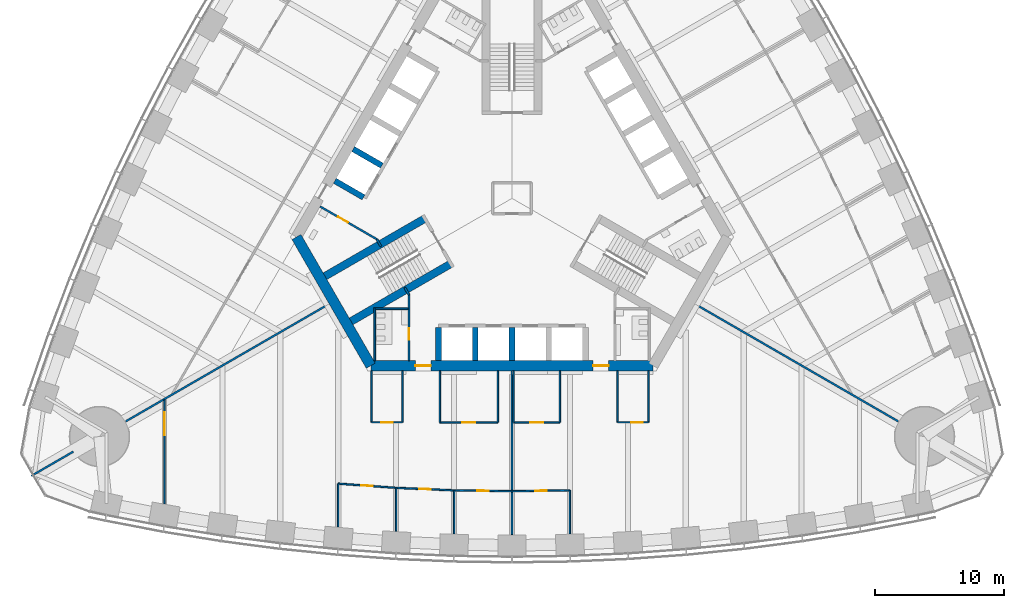
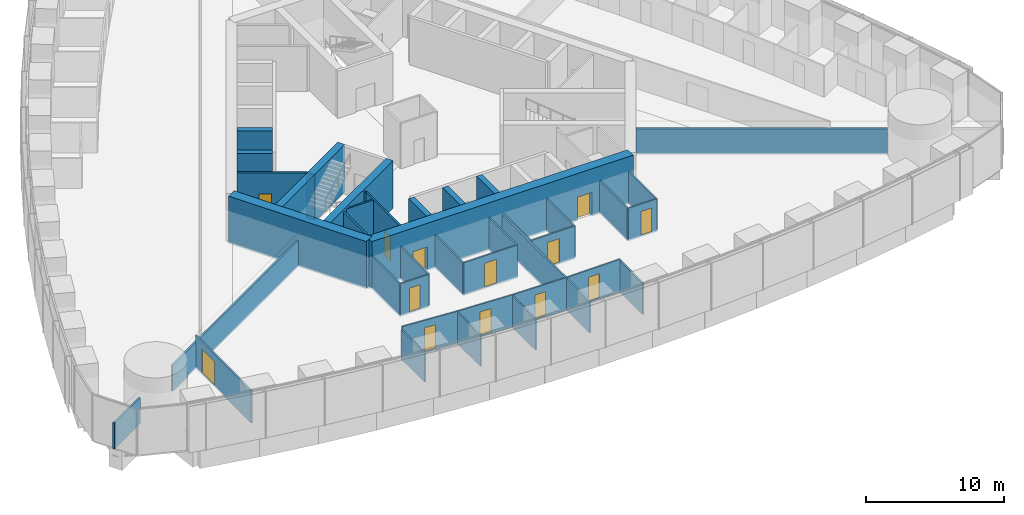
# One storey, part 10 of 18: 40 walls, 13 doors, 13 openings.
"""IFC4 building model written with IfcOpenShell, lengths in metres."""

import ifcopenshell
import ifcopenshell.guid

model = None  # the IFC model being written
_history = None  # IfcOwnerHistory: only IFC2X3 demands one
_inside = {}  # id of a spatial element -> (the spatial element, [elements in it])
_under = {}  # id of a project, library or spatial element -> (it, [spatial elements below it])
_declared = {}  # id of a project -> (the project, [libraries it declares])
_typed = {}  # id of a type object -> (the type object, [elements of that type])
_made_of = {}  # id of a material, layer set ... -> (it, [elements and type objects made of it])


def new_model(schema):
    """Start an empty IFC model of exactly this schema.

    Asked for "IFC4X3", IfcOpenShell would pick the latest addendum, in which some entities
    have other attributes; the version numbers below select the first issue.
    IFC2X3 requires an IfcOwnerHistory on every rooted entity: one is made here for all.
    """
    global model, _history
    if schema == "IFC4X3":
        model = ifcopenshell.file(schema_version=(4, 3, 0, 0))
    else:
        model = ifcopenshell.file(schema=schema)
    _inside.clear()
    _under.clear()
    _declared.clear()
    _typed.clear()
    _made_of.clear()
    _history = None
    if model.schema == "IFC2X3":
        org = make("IfcOrganization", Name="unknown")
        user = make(
            "IfcPersonAndOrganization",
            ThePerson=make("IfcPerson", FamilyName="unknown"),
            TheOrganization=org,
        )
        app = make(
            "IfcApplication",
            ApplicationDeveloper=org,
            Version="unknown",
            ApplicationFullName="unknown",
            ApplicationIdentifier="unknown",
        )
        _history = make(
            "IfcOwnerHistory",
            OwningUser=user,
            OwningApplication=app,
            ChangeAction="ADDED",
            CreationDate=0,
        )
    return model


def make(cls, **values):
    """One entity of the class cls with the attributes given. An attribute that is None is left unset."""
    return model.create_entity(
        cls, **{name: value for name, value in values.items() if value is not None}
    )


def rooted(cls, **values):
    """An entity with a GlobalId (a new one), such as an element, a storey or a relation."""
    return make(cls, GlobalId=ifcopenshell.guid.new(), OwnerHistory=_history, **values)


def si_unit(unit_type, name, prefix=None):
    """IfcSIUnit, for example si_unit("LENGTHUNIT", "METRE", prefix="MILLI")."""
    return make("IfcSIUnit", UnitType=unit_type, Prefix=prefix, Name=name)


def assignment(units):
    """IfcUnitAssignment: the units of a project."""
    return None if units is None else make("IfcUnitAssignment", Units=units)


def point(xyz):
    """IfcCartesianPoint."""
    return None if xyz is None else make("IfcCartesianPoint", Coordinates=xyz)


def direction(xyz):
    """IfcDirection."""
    return None if xyz is None else make("IfcDirection", DirectionRatios=xyz)


def frame(location, z_axis=None, x_axis=None):
    """IfcAxis2Placement3D, a coordinate frame: its origin and axes. An axis left out is left unset."""
    return make(
        "IfcAxis2Placement3D",
        Location=point(location),
        Axis=direction(z_axis),
        RefDirection=direction(x_axis),
    )


def frame_2d(location, x_axis=None):
    """IfcAxis2Placement2D, a coordinate frame in the plane: its origin and x axis."""
    return make(
        "IfcAxis2Placement2D", Location=point(location), RefDirection=direction(x_axis)
    )


def origin():
    """The frame at (0, 0, 0) with its axes left unset."""
    return frame((0.0, 0.0, 0.0))


def place(relative_to, where):
    """IfcLocalPlacement: puts the frame where relative to a parent placement (None: the world)."""
    return make(
        "IfcLocalPlacement", PlacementRelTo=relative_to, RelativePlacement=where
    )


def context(
    kind, dimensions, precision=None, world=None, true_north=None, identifier=None
):
    """IfcGeometricRepresentationContext, for example the 3D "Model" context."""
    return make(
        "IfcGeometricRepresentationContext",
        ContextIdentifier=identifier,
        ContextType=kind,
        CoordinateSpaceDimension=dimensions,
        Precision=precision,
        WorldCoordinateSystem=world,
        TrueNorth=true_north,
    )


def subcontext(parent, identifier, kind, view, scale=None):
    """IfcGeometricRepresentationSubContext, for example "Body" below "Model"."""
    return make(
        "IfcGeometricRepresentationSubContext",
        ContextIdentifier=identifier,
        ContextType=kind,
        ParentContext=parent,
        TargetScale=scale,
        TargetView=view,
    )


def project(units=None, contexts=None):
    """IfcProject with its units and contexts."""
    return rooted(
        "IfcProject",
        Name="project",
        RepresentationContexts=contexts,
        UnitsInContext=assignment(units),
    )


def spatial(cls, under=None, at=None, **own):
    """A site, building, storey or space (cls), placed at a placement, below another one or the project."""
    s = rooted(cls, ObjectPlacement=at, **own)
    if under is not None:
        _under.setdefault(under.id(), (under, []))[1].append(s)
    return s


def profile(cls, at=None, kind="AREA", **sizes):
    """A parametric profile (cls). Its sizes go by their IFC names, for example OverallWidth=200.0."""
    return make(cls, ProfileType=kind, Position=at, **sizes)


def rectangle(**sizes):
    """IfcRectangleProfileDef."""
    return profile("IfcRectangleProfileDef", **sizes)


def extrude(swept, where, along, depth):
    """IfcExtrudedAreaSolid: the profile swept, set in the frame where, extruded along a direction by depth."""
    return make(
        "IfcExtrudedAreaSolid",
        SweptArea=swept,
        Position=where,
        ExtrudedDirection=direction(along),
        Depth=depth,
    )


def shape(context_of_items, identifier, shape_type, items):
    """IfcShapeRepresentation: the items that make up one representation, for example the "Body"."""
    return make(
        "IfcShapeRepresentation",
        ContextOfItems=context_of_items,
        RepresentationIdentifier=identifier,
        RepresentationType=shape_type,
        Items=items,
    )


def material(Name=None, Category=None):
    """IfcMaterial."""
    return make("IfcMaterial", Name=Name, Category=Category)


def layer(
    of_material, thickness, ventilated=None, Name=None, Category=None, Priority=None
):
    """IfcMaterialLayer: one layer of a wall or slab, of a material (None: an air gap)."""
    return make(
        "IfcMaterialLayer",
        Material=of_material,
        LayerThickness=thickness,
        IsVentilated=ventilated,
        Name=Name,
        Category=Category,
        Priority=Priority,
    )


def layer_set(layers, Name=None):
    """IfcMaterialLayerSet."""
    return make("IfcMaterialLayerSet", MaterialLayers=layers, LayerSetName=Name)


def made_of(thing, what):
    """Note that an element or type object is made of a material, layer set ...; save() writes the relation."""
    if what is not None:
        _made_of.setdefault(what.id(), (what, []))[1].append(thing)
    return thing


def type_object(cls, material=None, **own):
    """A type object (cls), such as IfcWallType, which elements share."""
    return made_of(rooted(cls, **own), material)


def element(
    cls,
    number,
    at=None,
    inside=None,
    cuts=None,
    type_object=None,
    material=None,
    context=None,
    identifier="Body",
    shape_type=None,
    held_by="IfcProductDefinitionShape",
    body=None,
    shapes=None,
    **own,
):
    """One element of the class cls, such as IfcWall. Its Tag is "e" and its number.

    at: its placement. inside: the storey or other place that contains it. cuts: it is an
    opening in that element (IfcRelVoidsElement). A single representation is given by context,
    identifier, shape_type and body (its items); several are given by shapes. held_by: the class
    of the entity that holds the representations. save() writes the other relations.
    """
    e = rooted(cls, Tag="e%d" % number, ObjectPlacement=at, **own)
    if body is not None:
        shapes = [shape(context, identifier, shape_type, body)]
    if shapes is not None:
        e.Representation = make(held_by, Representations=shapes)
    if inside is not None:
        _inside.setdefault(inside.id(), (inside, []))[1].append(e)
    if cuts is not None:
        rooted(
            "IfcRelVoidsElement", RelatingBuildingElement=cuts, RelatedOpeningElement=e
        )
    if type_object is not None:
        _typed.setdefault(type_object.id(), (type_object, []))[1].append(e)
    return made_of(e, material)


def fill(opening, filler):
    """IfcRelFillsElement: the door or window that sits in an opening."""
    return rooted(
        "IfcRelFillsElement",
        RelatingOpeningElement=opening,
        RelatedBuildingElement=filler,
    )


def aggregate(whole, parts):
    """IfcRelAggregates: a whole, such as a stair, and the parts it consists of."""
    return rooted("IfcRelAggregates", RelatingObject=whole, RelatedObjects=parts)


def save(model, path):
    """Write the relations noted so far, then the file.

    IfcRelAggregates (storeys below a building ...), IfcRelContainedInSpatialStructure (elements
    in a storey), IfcRelDefinesByType, IfcRelAssociatesMaterial and IfcRelDeclares: one each for
    every whole, place, type object, material and project.
    """
    for whole, parts in _under.values():
        aggregate(whole, parts)
    for where, things in _inside.values():
        rooted(
            "IfcRelContainedInSpatialStructure",
            RelatedElements=things,
            RelatingStructure=where,
        )
    for kind, things in _typed.values():
        rooted("IfcRelDefinesByType", RelatedObjects=things, RelatingType=kind)
    for what, things in _made_of.values():
        rooted("IfcRelAssociatesMaterial", RelatedObjects=things, RelatingMaterial=what)
    for by, libraries in _declared.values():
        rooted("IfcRelDeclares", RelatingContext=by, RelatedDefinitions=libraries)
    model.write(path)


model = new_model("IFC4")

# Units and contexts
model_context = context("Model", 3, precision=1e-05, world=origin(), true_north=direction((0.0, 1.0)))
body_context = subcontext(model_context, "Body", "Model", "MODEL_VIEW")
ifc_project = project(units=[si_unit("LENGTHUNIT", "METRE"), si_unit("AREAUNIT", "SQUARE_METRE"), si_unit("VOLUMEUNIT", "CUBIC_METRE"), si_unit("PLANEANGLEUNIT", "RADIAN"), si_unit("MASSUNIT", "GRAM", prefix="KILO")], contexts=[model_context])

# Site, building, storey
site_placement = place(None, origin())
site = spatial("IfcSite", under=ifc_project, at=site_placement, CompositionType="ELEMENT")
building_placement = place(site_placement, origin())
building = spatial("IfcBuilding", under=site, at=building_placement, Name="Trefoil Bronze Tower", CompositionType="ELEMENT")
storey_placement = place(building_placement, frame((0.0, 0.0, 75.300048828125)))
storey = spatial("IfcBuildingStorey", under=building, at=storey_placement, Name="L17", CompositionType="ELEMENT", Elevation=75.300048828125)

# Wall, openings, doors
ifc_material_1 = material(Name="Concrete B80", Category="concrete")
ifc_layer_1 = layer(ifc_material_1, 0.800048828125)
ifc_layer_set_1 = layer_set([ifc_layer_1], Name="Core wall 800")
wall_type_1 = type_object("IfcWallType", Name="Core wall 800", PredefinedType="SHEAR", material=ifc_layer_set_1)
wall_1_placement = place(storey_placement, frame((-10.9697265625, -13.0, 0.0), z_axis=(0.0, 0.0, 1.0), x_axis=(1.0, 0.0, 0.0)))
wall_1 = element("IfcWall", 1, at=wall_1_placement, inside=storey, type_object=wall_type_1, Name="Core long wall 1 L17", PredefinedType="SHEAR", context=body_context, shape_type="SweptSolid", body=[
    extrude(rectangle(XDim=21.939453125, YDim=0.800048828125, at=frame_2d((10.9697265625, 0.0))), origin(), (0.0, 0.0, 1.0), 4.199951171875),
])
opening_1_placement = place(wall_1_placement, frame((17.269775390625, 0.0, 0.0)))
opening_1 = element("IfcOpeningElement", 2, at=opening_1_placement, cuts=wall_1, Name="Opening D2", PredefinedType="OPENING", context=body_context, shape_type="SweptSolid", body=[
    extrude(rectangle(XDim=1.199951171875, YDim=2.10009765625, at=frame_2d((0.60009765625, 1.050048828125))), frame((0.0, 0.409912109375, 0.0), z_axis=(0.0, -1.0, 0.0), x_axis=(1.0, 0.0, 0.0)), (0.0, 0.0, 1.0), 0.820068359375),
])
opening_2_placement = place(wall_1_placement, frame((3.4697265625, 0.0, 0.0)))
opening_2 = element("IfcOpeningElement", 3, at=opening_2_placement, cuts=wall_1, Name="Opening D2", PredefinedType="OPENING", context=body_context, shape_type="SweptSolid", body=[
    extrude(rectangle(XDim=1.199951171875, YDim=2.10009765625, at=frame_2d((0.60009765625, 1.050048828125))), frame((0.0, 0.409912109375, 0.0), z_axis=(0.0, -1.0, 0.0), x_axis=(1.0, 0.0, 0.0)), (0.0, 0.0, 1.0), 0.820068359375),
])
ifc_material_2 = material(Name="Steel door", Category="steel")
door_type_1 = type_object("IfcDoorType", Name="Lobby door 1200", OperationType="SINGLE_SWING_RIGHT", PredefinedType="DOOR", material=ifc_material_2)
door_1_placement = place(opening_1_placement, origin())
door_1 = element("IfcDoor", 4, at=door_1_placement, inside=storey, type_object=door_type_1, Name="Lobby door F1+ L17", OperationType="SINGLE_SWING_RIGHT", OverallHeight=2.10009765625, OverallWidth=1.199951171875, PredefinedType="DOOR", context=body_context, shape_type="SweptSolid", body=[
    extrude(rectangle(XDim=1.199951171875, YDim=2.10009765625, at=frame_2d((0.60009765625, 1.050048828125))), frame((0.0, 0.02490234375, 0.0), z_axis=(0.0, -1.0, 0.0), x_axis=(1.0, 0.0, 0.0)), (0.0, 0.0, 1.0), 0.050048828125),
])
fill(opening_1, door_1)
door_2_placement = place(opening_2_placement, origin())
door_2 = element("IfcDoor", 5, at=door_2_placement, inside=storey, type_object=door_type_1, Name="Lobby door F1- L17", OperationType="SINGLE_SWING_LEFT", OverallHeight=2.10009765625, OverallWidth=1.199951171875, PredefinedType="DOOR", context=body_context, shape_type="SweptSolid", body=[
    extrude(rectangle(XDim=1.199951171875, YDim=2.10009765625, at=frame_2d((0.60009765625, 1.050048828125))), frame((0.0, 0.02490234375, 0.0), z_axis=(0.0, -1.0, 0.0), x_axis=(1.0, 0.0, 0.0)), (0.0, 0.0, 1.0), 0.050048828125),
])
fill(opening_2, door_2)

# Wall
wall_2_placement = place(storey_placement, frame((-16.7431640625, -3.0, 0.0), z_axis=(0.0, 0.0, 1.0), x_axis=(0.499995765644, -0.866027848477, 0.0)))
element("IfcWall", 6, at=wall_2_placement, inside=storey, type_object=wall_type_1, Name="Core short wall 3 L17", PredefinedType="SHEAR", context=body_context, shape_type="SweptSolid", body=[
    extrude(rectangle(XDim=11.546875, YDim=0.800048828125, at=frame_2d((5.7734375, 0.0))), origin(), (0.0, 0.0, 1.0), 4.199951171875),
])

# Wall, opening, door
ifc_material_3 = material(Name="Glazed partition", Category="glass")
ifc_layer_2 = layer(ifc_material_3, 0.1201171875)
ifc_layer_set_2 = layer_set([ifc_layer_2], Name="Glazed partition 120")
wall_type_2 = type_object("IfcWallType", Name="Glazed partition 120", PredefinedType="PARTITIONING", material=ifc_layer_set_2)
wall_3_placement = place(storey_placement, frame((0.125, -17.39990234375, 0.0), z_axis=(0.0, 0.0, 1.0), x_axis=(1.0, 0.0, 0.0)))
wall_3 = element("IfcWall", 7, at=wall_3_placement, inside=storey, type_object=wall_type_2, Name="Partition F1 L17", PredefinedType="PARTITIONING", context=body_context, shape_type="SweptSolid", body=[
    extrude(rectangle(XDim=3.60009765625, YDim=0.1201171875, at=frame_2d((1.800048828125, 0.0))), origin(), (0.0, 0.0, 1.0), 2.89990234375),
])
opening_3_placement = place(wall_3_placement, frame((1.300048828125, 0.0, 0.14990234375)))
opening_3 = element("IfcOpeningElement", 8, at=opening_3_placement, cuts=wall_3, Name="Opening D9", PredefinedType="OPENING", context=body_context, shape_type="SweptSolid", body=[
    extrude(rectangle(XDim=1.0, YDim=2.10009765625, at=frame_2d((0.5, 1.050048828125))), frame((0.0, 0.070068359375, 0.0), z_axis=(0.0, -1.0, 0.0), x_axis=(1.0, 0.0, 0.0)), (0.0, 0.0, 1.0), 0.14013671875),
])
ifc_material_4 = material(Name="Glazed timber door", Category="wood")
door_type_2 = type_object("IfcDoorType", Name="Meeting room door 1000", OperationType="SINGLE_SWING_LEFT", PredefinedType="DOOR", material=ifc_material_4)
door_3_placement = place(opening_3_placement, origin())
door_3 = element("IfcDoor", 9, at=door_3_placement, inside=storey, type_object=door_type_2, Name="Meeting room door F1 L17", OperationType="SINGLE_SWING_LEFT", OverallHeight=2.10009765625, OverallWidth=1.0, PredefinedType="DOOR", context=body_context, shape_type="SweptSolid", body=[
    extrude(rectangle(XDim=1.0, YDim=2.10009765625, at=frame_2d((0.5, 1.050048828125))), frame((0.0, 0.02490234375, 0.0), z_axis=(0.0, -1.0, 0.0), x_axis=(1.0, 0.0, 0.0)), (0.0, 0.0, 1.0), 0.050048828125),
])
fill(opening_3, door_3)

wall_4_placement = place(storey_placement, frame((8.199951171875, -17.39990234375, 0.0), z_axis=(0.0, 0.0, 1.0), x_axis=(1.0, 0.0, 0.0)))
wall_4 = element("IfcWall", 10, at=wall_4_placement, inside=storey, type_object=wall_type_2, Name="Partition F1 L17", PredefinedType="PARTITIONING", context=body_context, shape_type="SweptSolid", body=[
    extrude(rectangle(XDim=2.400146484375, YDim=0.1201171875, at=frame_2d((1.2001953125, 0.0))), origin(), (0.0, 0.0, 1.0), 2.89990234375),
])
opening_4_placement = place(wall_4_placement, frame((1.050048828125, 0.0, 0.14990234375)))
opening_4 = element("IfcOpeningElement", 11, at=opening_4_placement, cuts=wall_4, Name="Opening D8", PredefinedType="OPENING", context=body_context, shape_type="SweptSolid", body=[
    extrude(rectangle(XDim=0.89990234375, YDim=2.10009765625, at=frame_2d((0.449951171875, 1.050048828125))), frame((0.0, 0.070068359375, 0.0), z_axis=(0.0, -1.0, 0.0), x_axis=(1.0, 0.0, 0.0)), (0.0, 0.0, 1.0), 0.14013671875),
])
ifc_material_5 = material(Name="Timber door", Category="wood")
door_type_3 = type_object("IfcDoorType", Name="Office door 900", OperationType="SINGLE_SWING_LEFT", PredefinedType="DOOR", material=ifc_material_5)
door_4_placement = place(opening_4_placement, origin())
door_4 = element("IfcDoor", 12, at=door_4_placement, inside=storey, type_object=door_type_3, Name="Comms room door F1 L17", OperationType="SINGLE_SWING_RIGHT", OverallHeight=2.10009765625, OverallWidth=0.89990234375, PredefinedType="DOOR", context=body_context, shape_type="SweptSolid", body=[
    extrude(rectangle(XDim=0.89990234375, YDim=2.10009765625, at=frame_2d((0.449951171875, 1.050048828125))), frame((0.0, 0.02490234375, 0.0), z_axis=(0.0, -1.0, 0.0), x_axis=(1.0, 0.0, 0.0)), (0.0, 0.0, 1.0), 0.050048828125),
])
fill(opening_4, door_4)

wall_5_placement = place(storey_placement, frame((-10.89990234375, -17.39990234375, 0.0), z_axis=(0.0, 0.0, 1.0), x_axis=(1.0, 0.0, 0.0)))
wall_5 = element("IfcWall", 13, at=wall_5_placement, inside=storey, type_object=wall_type_2, Name="Partition F1 L17", PredefinedType="PARTITIONING", context=body_context, shape_type="SweptSolid", body=[
    extrude(rectangle(XDim=2.39990234375, YDim=0.1201171875, at=frame_2d((1.199951171875, 0.0))), origin(), (0.0, 0.0, 1.0), 2.89990234375),
])
opening_5_placement = place(wall_5_placement, frame((0.75, 0.0, 0.14990234375)))
opening_5 = element("IfcOpeningElement", 14, at=opening_5_placement, cuts=wall_5, Name="Opening D8", PredefinedType="OPENING", context=body_context, shape_type="SweptSolid", body=[
    extrude(rectangle(XDim=0.89990234375, YDim=2.10009765625, at=frame_2d((0.449951171875, 1.050048828125))), frame((0.0, 0.070068359375, 0.0), z_axis=(0.0, -1.0, 0.0), x_axis=(1.0, 0.0, 0.0)), (0.0, 0.0, 1.0), 0.14013671875),
])
door_5_placement = place(opening_5_placement, origin())
door_5 = element("IfcDoor", 15, at=door_5_placement, inside=storey, type_object=door_type_3, Name="Print and store room door F1 L17", OperationType="SINGLE_SWING_LEFT", OverallHeight=2.10009765625, OverallWidth=0.89990234375, PredefinedType="DOOR", context=body_context, shape_type="SweptSolid", body=[
    extrude(rectangle(XDim=0.89990234375, YDim=2.10009765625, at=frame_2d((0.449951171875, 1.050048828125))), frame((0.0, 0.02490234375, 0.0), z_axis=(0.0, -1.0, 0.0), x_axis=(1.0, 0.0, 0.0)), (0.0, 0.0, 1.0), 0.050048828125),
])
fill(opening_5, door_5)

wall_6_placement = place(storey_placement, frame((-5.60009765625, -17.39990234375, 0.0), z_axis=(0.0, 0.0, 1.0), x_axis=(1.0, 0.0, 0.0)))
wall_6 = element("IfcWall", 16, at=wall_6_placement, inside=storey, type_object=wall_type_2, Name="Partition F1 L17", PredefinedType="PARTITIONING", context=body_context, shape_type="SweptSolid", body=[
    extrude(rectangle(XDim=4.5, YDim=0.1201171875, at=frame_2d((2.25, 0.0))), origin(), (0.0, 0.0, 1.0), 2.89990234375),
])
opening_6_placement = place(wall_6_placement, frame((1.75, 0.0, 0.14990234375)))
opening_6 = element("IfcOpeningElement", 17, at=opening_6_placement, cuts=wall_6, Name="Opening D9", PredefinedType="OPENING", context=body_context, shape_type="SweptSolid", body=[
    extrude(rectangle(XDim=1.0, YDim=2.10009765625, at=frame_2d((0.5, 1.050048828125))), frame((0.0, 0.070068359375, 0.0), z_axis=(0.0, -1.0, 0.0), x_axis=(1.0, 0.0, 0.0)), (0.0, 0.0, 1.0), 0.14013671875),
])
door_6_placement = place(opening_6_placement, origin())
door_6 = element("IfcDoor", 18, at=door_6_placement, inside=storey, type_object=door_type_2, Name="Project room door F1 L17", OperationType="SINGLE_SWING_LEFT", OverallHeight=2.10009765625, OverallWidth=1.0, PredefinedType="DOOR", context=body_context, shape_type="SweptSolid", body=[
    extrude(rectangle(XDim=1.0, YDim=2.10009765625, at=frame_2d((0.5, 1.050048828125))), frame((0.0, 0.02490234375, 0.0), z_axis=(0.0, -1.0, 0.0), x_axis=(1.0, 0.0, 0.0)), (0.0, 0.0, 1.0), 0.050048828125),
])
fill(opening_6, door_6)

# Walls
wall_7_placement = place(storey_placement, frame((0.125, -13.39990234375, 0.0), z_axis=(0.0, 0.0, 1.0), x_axis=(0.0, -1.0, 0.0)))
element("IfcWall", 19, at=wall_7_placement, inside=storey, type_object=wall_type_2, Name="Partition F1 L17", PredefinedType="PARTITIONING", context=body_context, shape_type="SweptSolid", body=[
    extrude(rectangle(XDim=4.0, YDim=0.1201171875, at=frame_2d((2.0, 0.0))), origin(), (0.0, 0.0, 1.0), 2.800048828125),
])
for number, where, z_axis, x_axis, name in (
    (20, (10.60009765625, -13.39990234375, 0.0), (0.0, 0.0, 1.0), (0.0, -1.0, 0.0), "Partition F1 L17"),
    (21, (3.72509765625, -13.39990234375, 0.0), (0.0, 0.0, 1.0), (0.0, -1.0, 0.0), "Partition F1 L17"),
    (22, (8.199951171875, -13.39990234375, 0.0), (0.0, 0.0, 1.0), (0.0, -1.0, 0.0), "Partition F1 L17"),
    (23, (-1.10009765625, -13.39990234375, 0.0), (0.0, 0.0, 1.0), (0.0, -1.0, 0.0), "Partition F1 L17"),
    (24, (-10.89990234375, -13.39990234375, 0.0), (0.0, 0.0, 1.0), (0.0, -1.0, 0.0), "Partition F1 L17"),
    (25, (-5.60009765625, -13.39990234375, 0.0), (0.0, 0.0, 1.0), (0.0, -1.0, 0.0), "Partition F1 L17"),
    (26, (-8.5, -13.39990234375, 0.0), (0.0, 0.0, 1.0), (0.0, -1.0, 0.0), "Partition F1 L17"),
):
    element("IfcWall", number, at=place(storey_placement, frame(where, z_axis=z_axis, x_axis=x_axis)), inside=storey, type_object=wall_type_2, Name=name, PredefinedType="PARTITIONING", context=body_context, shape_type="SweptSolid", body=[
        extrude(rectangle(XDim=4.0, YDim=0.1201171875, at=frame_2d((2.0, 0.0))), origin(), (0.0, 0.0, 1.0), 2.89990234375),
    ])

# Wall, opening, door
wall_8_placement = place(storey_placement, frame((0.0, -22.748779296875, 0.0), z_axis=(0.0, 0.0, 1.0), x_axis=(0.999894311967, 0.014538393859, 0.0)))
wall_8 = element("IfcWall", 27, at=wall_8_placement, inside=storey, type_object=wall_type_2, Name="Partition F1 L17", PredefinedType="PARTITIONING", context=body_context, shape_type="SweptSolid", body=[
    extrude(rectangle(XDim=4.50048828125, YDim=0.1201171875, at=frame_2d((2.250244140625, 0.0))), origin(), (0.0, 0.0, 1.0), 2.89990234375),
])
opening_7_placement = place(wall_8_placement, frame((1.800048828125, 0.0, 0.14990234375)))
opening_7 = element("IfcOpeningElement", 28, at=opening_7_placement, cuts=wall_8, Name="Opening D8", PredefinedType="OPENING", context=body_context, shape_type="SweptSolid", body=[
    extrude(rectangle(XDim=0.89990234375, YDim=2.10009765625, at=frame_2d((0.449951171875, 1.050048828125))), frame((0.0, 0.070068359375, 0.0), z_axis=(0.0, -1.0, 0.0), x_axis=(1.0, 0.0, 0.0)), (0.0, 0.0, 1.0), 0.14013671875),
])
door_7_placement = place(opening_7_placement, frame((0.89990234375, 0.0, 0.0), z_axis=(0.0, 0.0, 1.0), x_axis=(-1.0, 0.0, 0.0)))
door_7 = element("IfcDoor", 29, at=door_7_placement, inside=storey, type_object=door_type_3, Name="Office door F1 L17", OperationType="SINGLE_SWING_RIGHT", OverallHeight=2.10009765625, OverallWidth=0.89990234375, PredefinedType="DOOR", context=body_context, shape_type="SweptSolid", body=[
    extrude(rectangle(XDim=0.89990234375, YDim=2.10009765625, at=frame_2d((0.449951171875, 1.050048828125))), frame((0.0, 0.02490234375, 0.0), z_axis=(0.0, -1.0, 0.0), x_axis=(1.0, 0.0, 0.0)), (0.0, 0.0, 1.0), 0.050048828125),
])
fill(opening_7, door_7)

wall_9_placement = place(storey_placement, frame((-13.5, -22.159912109375, 0.0), z_axis=(0.0, 0.0, 1.0), x_axis=(0.997363894896, -0.072562119306, 0.0)))
wall_9 = element("IfcWall", 30, at=wall_9_placement, inside=storey, type_object=wall_type_2, Name="Partition F1 L17", PredefinedType="PARTITIONING", context=body_context, shape_type="SweptSolid", body=[
    extrude(rectangle(XDim=4.511962890625, YDim=0.1201171875, at=frame_2d((2.255859375, 0.0))), origin(), (0.0, 0.0, 1.0), 2.89990234375),
])
opening_8_placement = place(wall_9_placement, frame((1.800048828125, 0.0, 0.14990234375)))
opening_8 = element("IfcOpeningElement", 31, at=opening_8_placement, cuts=wall_9, Name="Opening D8", PredefinedType="OPENING", context=body_context, shape_type="SweptSolid", body=[
    extrude(rectangle(XDim=0.89990234375, YDim=2.10009765625, at=frame_2d((0.449951171875, 1.050048828125))), frame((0.0, 0.070068359375, 0.0), z_axis=(0.0, -1.0, 0.0), x_axis=(1.0, 0.0, 0.0)), (0.0, 0.0, 1.0), 0.14013671875),
])
door_8_placement = place(opening_8_placement, frame((0.89990234375, 0.0, 0.0), z_axis=(0.0, 0.0, 1.0), x_axis=(-1.0, 0.0, 0.0)))
door_8 = element("IfcDoor", 32, at=door_8_placement, inside=storey, type_object=door_type_3, Name="Office door F1 L17", OperationType="SINGLE_SWING_RIGHT", OverallHeight=2.10009765625, OverallWidth=0.89990234375, PredefinedType="DOOR", context=body_context, shape_type="SweptSolid", body=[
    extrude(rectangle(XDim=0.89990234375, YDim=2.10009765625, at=frame_2d((0.449951171875, 1.050048828125))), frame((0.0, 0.02490234375, 0.0), z_axis=(0.0, -1.0, 0.0), x_axis=(1.0, 0.0, 0.0)), (0.0, 0.0, 1.0), 0.050048828125),
])
fill(opening_8, door_8)

wall_10_placement = place(storey_placement, frame((-4.5, -22.683349609375, 0.0), z_axis=(0.0, 0.0, 1.0), x_axis=(0.999894311967, -0.014538393859, 0.0)))
wall_10 = element("IfcWall", 33, at=wall_10_placement, inside=storey, type_object=wall_type_2, Name="Partition F1 L17", PredefinedType="PARTITIONING", context=body_context, shape_type="SweptSolid", body=[
    extrude(rectangle(XDim=4.50048828125, YDim=0.1201171875, at=frame_2d((2.250244140625, 0.0))), origin(), (0.0, 0.0, 1.0), 2.89990234375),
])
opening_9_placement = place(wall_10_placement, frame((1.800048828125, 0.0, 0.14990234375)))
opening_9 = element("IfcOpeningElement", 34, at=opening_9_placement, cuts=wall_10, Name="Opening D8", PredefinedType="OPENING", context=body_context, shape_type="SweptSolid", body=[
    extrude(rectangle(XDim=0.89990234375, YDim=2.10009765625, at=frame_2d((0.449951171875, 1.050048828125))), frame((0.0, 0.070068359375, 0.0), z_axis=(0.0, -1.0, 0.0), x_axis=(1.0, 0.0, 0.0)), (0.0, 0.0, 1.0), 0.14013671875),
])
door_9_placement = place(opening_9_placement, frame((0.89990234375, 0.0, 0.0), z_axis=(0.0, 0.0, 1.0), x_axis=(-1.0, 0.0, 0.0)))
door_9 = element("IfcDoor", 35, at=door_9_placement, inside=storey, type_object=door_type_3, Name="Office door F1 L17", OperationType="SINGLE_SWING_RIGHT", OverallHeight=2.10009765625, OverallWidth=0.89990234375, PredefinedType="DOOR", context=body_context, shape_type="SweptSolid", body=[
    extrude(rectangle(XDim=0.89990234375, YDim=2.10009765625, at=frame_2d((0.449951171875, 1.050048828125))), frame((0.0, 0.02490234375, 0.0), z_axis=(0.0, -1.0, 0.0), x_axis=(1.0, 0.0, 0.0)), (0.0, 0.0, 1.0), 0.050048828125),
])
fill(opening_9, door_9)

wall_11_placement = place(storey_placement, frame((-9.0, -22.4873046875, 0.0), z_axis=(0.0, 0.0, 1.0), x_axis=(0.999052370647, -0.043524254212, 0.0)))
wall_11 = element("IfcWall", 36, at=wall_11_placement, inside=storey, type_object=wall_type_2, Name="Partition F1 L17", PredefinedType="PARTITIONING", context=body_context, shape_type="SweptSolid", body=[
    extrude(rectangle(XDim=4.504150390625, YDim=0.1201171875, at=frame_2d((2.251953125, 0.0))), origin(), (0.0, 0.0, 1.0), 2.89990234375),
])
opening_10_placement = place(wall_11_placement, frame((1.800048828125, 0.0, 0.14990234375)))
opening_10 = element("IfcOpeningElement", 37, at=opening_10_placement, cuts=wall_11, Name="Opening D8", PredefinedType="OPENING", context=body_context, shape_type="SweptSolid", body=[
    extrude(rectangle(XDim=0.89990234375, YDim=2.10009765625, at=frame_2d((0.449951171875, 1.050048828125))), frame((0.0, 0.070068359375, 0.0), z_axis=(0.0, -1.0, 0.0), x_axis=(1.0, 0.0, 0.0)), (0.0, 0.0, 1.0), 0.14013671875),
])
door_10_placement = place(opening_10_placement, frame((0.89990234375, 0.0, 0.0), z_axis=(0.0, 0.0, 1.0), x_axis=(-1.0, 0.0, 0.0)))
door_10 = element("IfcDoor", 38, at=door_10_placement, inside=storey, type_object=door_type_3, Name="Office door F1 L17", OperationType="SINGLE_SWING_RIGHT", OverallHeight=2.10009765625, OverallWidth=0.89990234375, PredefinedType="DOOR", context=body_context, shape_type="SweptSolid", body=[
    extrude(rectangle(XDim=0.89990234375, YDim=2.10009765625, at=frame_2d((0.449951171875, 1.050048828125))), frame((0.0, 0.02490234375, 0.0), z_axis=(0.0, -1.0, 0.0), x_axis=(1.0, 0.0, 0.0)), (0.0, 0.0, 1.0), 0.050048828125),
])
fill(opening_10, door_10)

# Walls
wall_12_placement = place(storey_placement, frame((4.5, -22.683349609375, 0.0), z_axis=(0.0, 0.0, 1.0), x_axis=(0.0, -1.0, 0.0)))
element("IfcWall", 39, at=wall_12_placement, inside=storey, type_object=wall_type_2, Name="Partition F1 L17", PredefinedType="PARTITIONING", context=body_context, shape_type="SweptSolid", body=[
    extrude(rectangle(XDim=3.369384765625, YDim=0.1201171875, at=frame_2d((1.6845703125, 0.0))), origin(), (0.0, 0.0, 1.0), 2.800048828125),
])
wall_13_placement = place(storey_placement, frame((-13.5, -22.159912109375, 0.0), z_axis=(0.0, 0.0, 1.0), x_axis=(0.0, -1.0, 0.0)))
element("IfcWall", 40, at=wall_13_placement, inside=storey, type_object=wall_type_2, Name="Partition F1 L17", PredefinedType="PARTITIONING", context=body_context, shape_type="SweptSolid", body=[
    extrude(rectangle(XDim=3.364013671875, YDim=0.1201171875, at=frame_2d((1.68212890625, 0.0))), origin(), (0.0, 0.0, 1.0), 2.599853515625),
])

# Wall, opening, door
wall_14_placement = place(storey_placement, frame((-27.0, -15.65185546875, 0.0), z_axis=(0.0, 0.0, 1.0), x_axis=(0.0, -1.0, 0.0)))
wall_14 = element("IfcWall", 41, at=wall_14_placement, inside=storey, type_object=wall_type_2, Name="Partition F1 L17", PredefinedType="PARTITIONING", context=body_context, shape_type="SweptSolid", body=[
    extrude(rectangle(XDim=8.073486328125, YDim=0.1201171875, at=frame_2d((4.03662109375, 0.0))), origin(), (0.0, 0.0, 1.0), 2.89990234375),
])
opening_11_placement = place(wall_14_placement, frame((0.949951171875, 0.0, 0.14990234375)))
opening_11 = element("IfcOpeningElement", 42, at=opening_11_placement, cuts=wall_14, Name="Opening D10", PredefinedType="OPENING", context=body_context, shape_type="SweptSolid", body=[
    extrude(rectangle(XDim=1.800048828125, YDim=2.10009765625, at=frame_2d((0.89990234375, 1.050048828125))), frame((0.0, 0.070068359375, 0.0), z_axis=(0.0, -1.0, 0.0), x_axis=(1.0, 0.0, 0.0)), (0.0, 0.0, 1.0), 0.14013671875),
])
ifc_material_6 = material(Name="Timber door", Category="wood")
door_type_4 = type_object("IfcDoorType", Name="Double door 1800", OperationType="DOUBLE_DOOR_SINGLE_SWING", PredefinedType="DOOR", material=ifc_material_6)
door_11_placement = place(opening_11_placement, frame((1.800048828125, 0.0, 0.0), z_axis=(0.0, 0.0, 1.0), x_axis=(-1.0, 0.0, 0.0)))
door_11 = element("IfcDoor", 43, at=door_11_placement, inside=storey, type_object=door_type_4, Name="Kitchen and breakout door F1 L17", OperationType="DOUBLE_DOOR_SINGLE_SWING", OverallHeight=2.10009765625, OverallWidth=1.800048828125, PredefinedType="DOOR", context=body_context, shape_type="SweptSolid", body=[
    extrude(rectangle(XDim=1.800048828125, YDim=2.10009765625, at=frame_2d((0.89990234375, 1.050048828125))), frame((0.0, 0.02490234375, 0.0), z_axis=(0.0, -1.0, 0.0), x_axis=(1.0, 0.0, 0.0)), (0.0, 0.0, 1.0), 0.050048828125),
])
fill(opening_11, door_11)

# Walls
wall_15_placement = place(storey_placement, frame((-4.5, -22.683349609375, 0.0), z_axis=(0.0, 0.0, 1.0), x_axis=(0.0, -1.0, 0.0)))
element("IfcWall", 44, at=wall_15_placement, inside=storey, type_object=wall_type_2, Name="Partition F1 L17", PredefinedType="PARTITIONING", context=body_context, shape_type="SweptSolid", body=[
    extrude(rectangle(XDim=3.369384765625, YDim=0.1201171875, at=frame_2d((1.6845703125, 0.0))), origin(), (0.0, 0.0, 1.0), 2.800048828125),
])
wall_16_placement = place(storey_placement, frame((-9.0, -22.4873046875, 0.0), z_axis=(0.0, 0.0, 1.0), x_axis=(0.0, -1.0, 0.0)))
element("IfcWall", 45, at=wall_16_placement, inside=storey, type_object=wall_type_2, Name="Partition F1 L17", PredefinedType="PARTITIONING", context=body_context, shape_type="SweptSolid", body=[
    extrude(rectangle(XDim=3.367431640625, YDim=0.1201171875, at=frame_2d((1.68359375, 0.0))), origin(), (0.0, 0.0, 1.0), 2.800048828125),
])
ifc_material_7 = material(Name="Concrete B80", Category="concrete")
ifc_layer_3 = layer(ifc_material_7, 0.449951171875)
ifc_layer_set_3 = layer_set([ifc_layer_3], Name="Outrigger shaft wall 450")
wall_type_3 = type_object("IfcWallType", Name="Outrigger shaft wall 450", PredefinedType="SHEAR", material=ifc_layer_set_3)
for number, where, z_axis, x_axis, name in (
    (46, (-5.699951171875, -10.02490234375, 0.0), (0.0, 0.0, 1.0), (0.0, -1.0, 0.0), "Lift shaft side wall A0 L17"),
    (47, (-2.85009765625, -10.02490234375, 0.0), (0.0, 0.0, 1.0), (0.0, -1.0, 0.0), "Lift shaft side wall A1 L17"),
    (48, (0.0, -10.02490234375, 0.0), (0.0, 0.0, 1.0), (0.0, -1.0, 0.0), "Lift shaft side wall A2 L17"),
):
    element("IfcWall", number, at=place(storey_placement, frame(where, z_axis=z_axis, x_axis=x_axis)), inside=storey, type_object=wall_type_3, Name=name, PredefinedType="SHEAR", context=body_context, shape_type="SweptSolid", body=[
        extrude(rectangle(XDim=2.5751953125, YDim=0.449951171875, at=frame_2d((1.28759765625, 0.0))), origin(), (0.0, 0.0, 1.0), 4.199951171875),
    ])
for number, where, z_axis, x_axis, name in (
    (49, (-10.10693359375, 2.54443359375, 0.0), (0.0, 0.0, 1.0), (-0.866046643894, 0.499963209246, 0.0), "Lift shaft side wall C3 L17"),
    (50, (-11.531982421875, 0.076171875, 0.0), (0.0, 0.0, 1.0), (-0.866005588531, 0.500034319456, 0.0), "Lift shaft side wall C4 L17"),
):
    element("IfcWall", number, at=place(storey_placement, frame(where, z_axis=z_axis, x_axis=x_axis)), inside=storey, type_object=wall_type_3, Name=name, PredefinedType="SHEAR", context=body_context, shape_type="SweptSolid", body=[
        extrude(rectangle(XDim=2.574951171875, YDim=0.449951171875, at=frame_2d((1.28759765625, 0.0))), origin(), (0.0, 0.0, 1.0), 4.199951171875),
    ])

# Wall, opening, door
ifc_material_8 = material(Name="Gypsum board on steel studs", Category="steel")
ifc_layer_4 = layer(ifc_material_8, 0.14990234375)
ifc_layer_set_4 = layer_set([ifc_layer_4], Name="Partition 150")
wall_type_4 = type_object("IfcWallType", Name="Partition 150", PredefinedType="PARTITIONING", material=ifc_layer_set_4)
wall_17_placement = place(storey_placement, frame((-8.0, -7.5, 0.0), z_axis=(0.0, 0.0, 1.0), x_axis=(0.0, -1.0, 0.0)))
wall_17 = element("IfcWall", 51, at=wall_17_placement, inside=storey, type_object=wall_type_4, Name="Passage wall F1- L17", PredefinedType="PARTITIONING", context=body_context, shape_type="SweptSolid", body=[
    extrude(rectangle(XDim=5.10009765625, YDim=0.14990234375, at=frame_2d((2.550048828125, 0.0))), origin(), (0.0, 0.0, 1.0), 4.0),
])
opening_12_placement = place(wall_17_placement, frame((2.60009765625, 0.0, 0.0)))
opening_12 = element("IfcOpeningElement", 52, at=opening_12_placement, cuts=wall_17, Name="Opening D3", PredefinedType="OPENING", context=body_context, shape_type="SweptSolid", body=[
    extrude(rectangle(XDim=0.89990234375, YDim=2.10009765625, at=frame_2d((0.449951171875, 1.050048828125))), frame((0.0, 0.0849609375, 0.0), z_axis=(0.0, -1.0, 0.0), x_axis=(1.0, 0.0, 0.0)), (0.0, 0.0, 1.0), 0.169921875),
])
ifc_material_9 = material(Name="Timber door", Category="wood")
door_type_5 = type_object("IfcDoorType", Name="WC door 900", OperationType="SINGLE_SWING_LEFT", PredefinedType="DOOR", material=ifc_material_9)
door_12_placement = place(opening_12_placement, frame((0.89990234375, 0.0, 0.0), z_axis=(0.0, 0.0, 1.0), x_axis=(-1.0, 0.0, 0.0)))
door_12 = element("IfcDoor", 53, at=door_12_placement, inside=storey, type_object=door_type_5, Name="WC (women) door L17", OperationType="SINGLE_SWING_RIGHT", OverallHeight=2.10009765625, OverallWidth=0.89990234375, PredefinedType="DOOR", context=body_context, shape_type="SweptSolid", body=[
    extrude(rectangle(XDim=0.89990234375, YDim=2.10009765625, at=frame_2d((0.449951171875, 1.050048828125))), frame((0.0, 0.02490234375, 0.0), z_axis=(0.0, -1.0, 0.0), x_axis=(1.0, 0.0, 0.0)), (0.0, 0.0, 1.0), 0.050048828125),
])
fill(opening_12, door_12)

wall_18_placement = place(storey_placement, frame((-10.4951171875, -3.17822265625, 0.0), z_axis=(0.0, 0.0, 1.0), x_axis=(-0.86602216432, 0.500005610874, 0.0)))
wall_18 = element("IfcWall", 54, at=wall_18_placement, inside=storey, type_object=wall_type_4, Name="Passage wall F3+ L17", PredefinedType="PARTITIONING", context=body_context, shape_type="SweptSolid", body=[
    extrude(rectangle(XDim=5.10009765625, YDim=0.14990234375, at=frame_2d((2.550048828125, 0.0))), origin(), (0.0, 0.0, 1.0), 4.0),
])
opening_13_placement = place(wall_18_placement, frame((2.60009765625, 0.0, 0.0)))
opening_13 = element("IfcOpeningElement", 55, at=opening_13_placement, cuts=wall_18, Name="Opening D3", PredefinedType="OPENING", context=body_context, shape_type="SweptSolid", body=[
    extrude(rectangle(XDim=0.89990234375, YDim=2.10009765625, at=frame_2d((0.449951171875, 1.050048828125))), frame((0.0, 0.0849609375, 0.0), z_axis=(0.0, -1.0, 0.0), x_axis=(1.0, 0.0, 0.0)), (0.0, 0.0, 1.0), 0.169921875),
])
door_13_placement = place(opening_13_placement, origin())
door_13 = element("IfcDoor", 56, at=door_13_placement, inside=storey, type_object=door_type_5, Name="Accessible WC door L17", OperationType="SINGLE_SWING_RIGHT", OverallHeight=2.10009765625, OverallWidth=0.89990234375, PredefinedType="DOOR", context=body_context, shape_type="SweptSolid", body=[
    extrude(rectangle(XDim=0.89990234375, YDim=2.10009765625, at=frame_2d((0.449951171875, 1.050048828125))), frame((0.0, 0.02490234375, 0.0), z_axis=(0.0, -1.0, 0.0), x_axis=(1.0, 0.0, 0.0)), (0.0, 0.0, 1.0), 0.050048828125),
])
fill(opening_13, door_13)

# Walls
for number, where, z_axis, x_axis, name in (
    (57, (-10.4951171875, -3.17822265625, 0.0), (0.0, 0.0, 1.0), (0.499842556608, -0.866116284689, 0.0), "WC wall ST3-1 L17"),
    (58, (-8.0, -7.5, 0.0), (0.0, 0.0, 1.0), (-0.499842556608, 0.866116284689, 0.0), "WC wall ST3+1 L17"),
):
    element("IfcWall", number, at=place(storey_placement, frame(where, z_axis=z_axis, x_axis=x_axis)), inside=storey, type_object=wall_type_4, Name=name, PredefinedType="PARTITIONING", context=body_context, shape_type="SweptSolid", body=[
        extrude(rectangle(XDim=0.645263671875, YDim=0.14990234375, at=frame_2d((0.32275390625, 0.0))), origin(), (0.0, 0.0, 1.0), 4.0),
    ])
wall_19_placement = place(storey_placement, frame((-10.659912109375, -8.5, 0.0), z_axis=(0.0, 0.0, 1.0), x_axis=(0.0, -1.0, 0.0)))
element("IfcWall", 59, at=wall_19_placement, inside=storey, type_object=wall_type_4, Name="WC partition WC (women) L17", PredefinedType="PARTITIONING", context=body_context, shape_type="SweptSolid", body=[
    extrude(rectangle(XDim=4.10009765625, YDim=0.14990234375, at=frame_2d((2.050048828125, 0.0))), origin(), (0.0, 0.0, 1.0), 4.0),
])
wall_20_placement = place(storey_placement, frame((-8.074951171875, -8.574951171875, 0.0), z_axis=(0.0, 0.0, 1.0), x_axis=(-1.0, 0.0, 0.0)))
element("IfcWall", 60, at=wall_20_placement, inside=storey, type_object=wall_type_4, Name="WC partition WC (women) L17", PredefinedType="PARTITIONING", context=body_context, shape_type="SweptSolid", body=[
    extrude(rectangle(XDim=2.510009765625, YDim=0.14990234375, at=frame_2d((1.2548828125, 0.0))), origin(), (0.0, 0.0, 1.0), 4.0),
])
ifc_material_10 = material(Name="Gypsum board on steel studs", Category="steel")
ifc_layer_5 = layer(ifc_material_10, 0.14990234375)
ifc_layer_set_5 = layer_set([ifc_layer_5], Name="Party wall 150")
wall_type_5 = type_object("IfcWallType", Name="Party wall 150", PredefinedType="PARTITIONING", material=ifc_layer_set_5)
for number, where, z_axis, x_axis, name in (
    (61, (14.202880859375, -8.199951171875, 0.0), (0.0, 0.0, 1.0), (0.866024965723, -0.500000758745, 0.0), "Party wall K1 L17"),
    (62, (-14.202880859375, -8.199951171875, 0.0), (0.0, 0.0, 1.0), (-0.866024965723, -0.500000758745, 0.0), "Party wall K3 L17"),
):
    element("IfcWall", number, at=place(storey_placement, frame(where, z_axis=z_axis, x_axis=x_axis)), inside=storey, type_object=wall_type_5, Name=name, PredefinedType="PARTITIONING", context=body_context, shape_type="SweptSolid", body=[
        extrude(rectangle(XDim=18.25, YDim=0.14990234375, at=frame_2d((9.125, 0.0))), origin(), (0.0, 0.0, 1.0), 2.300048828125),
    ])
wall_21_placement = place(storey_placement, frame((-34.078125, -19.675048828125, 0.0), z_axis=(0.0, 0.0, 1.0), x_axis=(-0.866019247219, -0.500010663332, 0.0)))
element("IfcWall", 63, at=wall_21_placement, inside=storey, type_object=wall_type_5, Name="Party wall K3 L17", PredefinedType="PARTITIONING", context=body_context, shape_type="SweptSolid", body=[
    extrude(rectangle(XDim=3.76416015625, YDim=0.14990234375, at=frame_2d((1.882080078125, 0.0))), origin(), (0.0, 0.0, 1.0), 2.300048828125),
])
wall_22_placement = place(storey_placement, frame((0.0, -13.409912109375, 0.0), z_axis=(0.0, 0.0, 1.0), x_axis=(0.0, -1.0, 0.0)))
element("IfcWall", 64, at=wall_22_placement, inside=storey, type_object=wall_type_5, Name="Demising wall F1 L17", PredefinedType="PARTITIONING", context=body_context, shape_type="SweptSolid", body=[
    extrude(rectangle(XDim=12.708740234375, YDim=0.14990234375, at=frame_2d((6.3544921875, 0.0))), origin(), (0.0, 0.0, 1.0), 2.800048828125),
])
ifc_material_11 = material(Name="Concrete B80", Category="concrete")
ifc_layer_6 = layer(ifc_material_11, 0.60009765625)
ifc_layer_set_6 = layer_set([ifc_layer_6], Name="Stair wall 600")
wall_type_6 = type_object("IfcWallType", Name="Stair wall 600", PredefinedType="SHEAR", material=ifc_layer_set_6)
for number, where, z_axis, x_axis, name in (
    (65, (-6.663330078125, -1.5087890625, 0.0), (0.0, 0.0, 1.0), (-0.866019375473, -0.500010441196, 0.0), "Stair wall ST3 L17"),
    (66, (-4.638427734375, -5.01611328125, 0.0), (0.0, 0.0, 1.0), (-0.866019375473, -0.500010441196, 0.0), "Stair wall ST3 L17"),
):
    element("IfcWall", number, at=place(storey_placement, frame(where, z_axis=z_axis, x_axis=x_axis)), inside=storey, type_object=wall_type_6, Name=name, PredefinedType="SHEAR", context=body_context, shape_type="SweptSolid", body=[
        extrude(rectangle(XDim=9.074951171875, YDim=0.60009765625, at=frame_2d((4.53759765625, 0.0))), origin(), (0.0, 0.0, 1.0), 4.199951171875),
    ])

save(model, "model.ifc")
